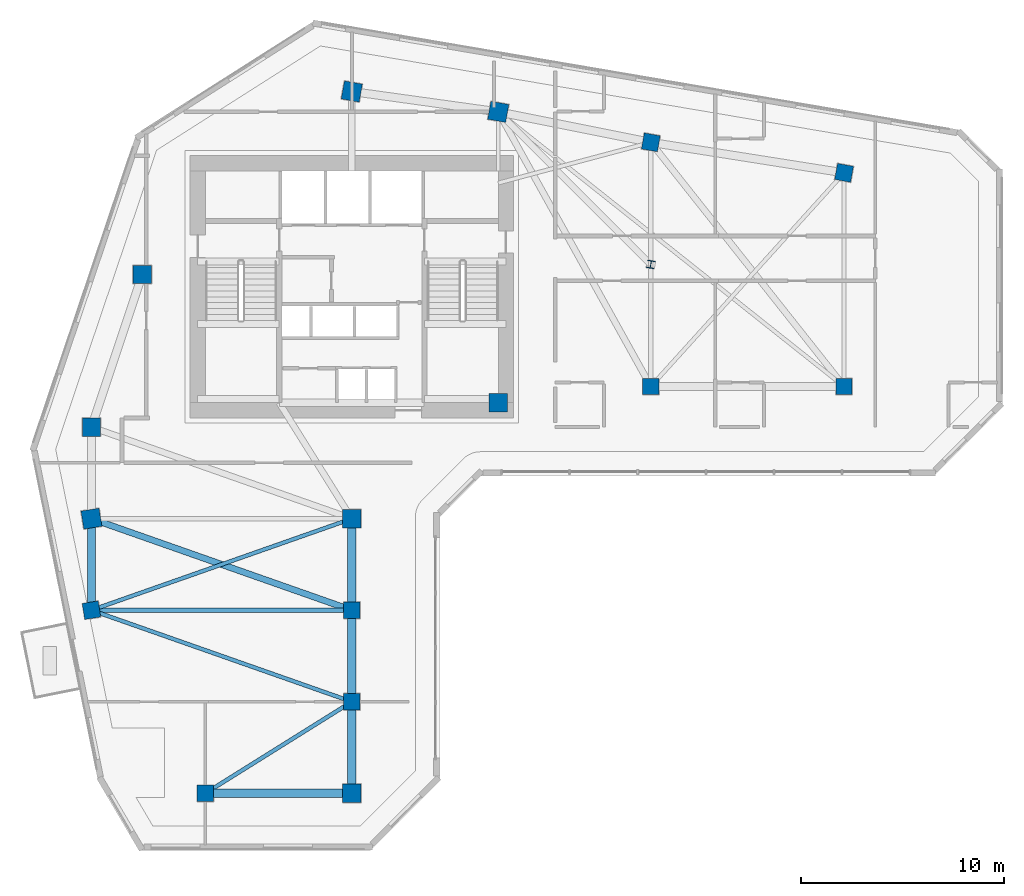
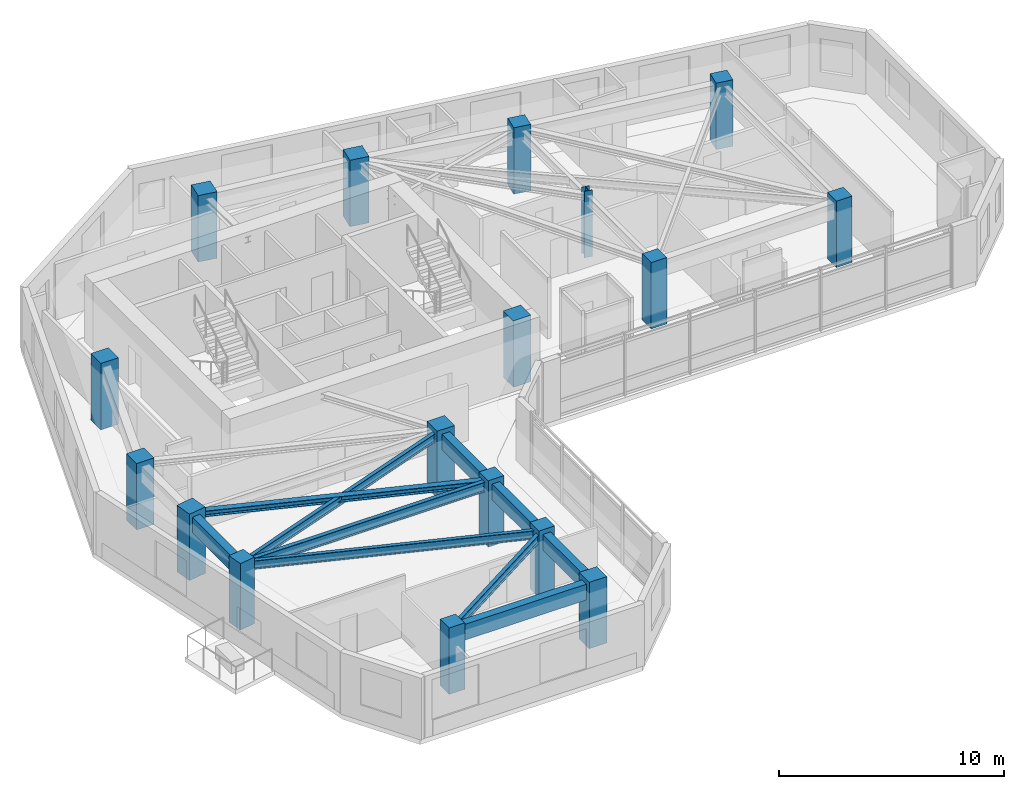
# One storey, part 1 of 11: 17 columns, 10 beams.
"""IFC4 building model written with IfcOpenShell, lengths in metres."""

from ifc_helpers import new_model, si_unit, direction, frame, origin, origin_2d, place, context, subcontext, project, spatial, rectangle, i_section, extrude, source, transform, mapped, material, material_profile, profile_set, type_object, element, save


model = new_model("IFC4")

# Units and contexts
model_context = context("Model", 3, precision=1e-05, world=origin(), true_north=direction((0.0, 1.0)))
body_context = subcontext(model_context, "Body", "Model", "MODEL_VIEW")
ifc_project = project(units=[si_unit("LENGTHUNIT", "METRE"), si_unit("AREAUNIT", "SQUARE_METRE"), si_unit("VOLUMEUNIT", "CUBIC_METRE"), si_unit("PLANEANGLEUNIT", "RADIAN"), si_unit("MASSUNIT", "GRAM", prefix="KILO")], contexts=[model_context])

# Site, building, storey
site_placement = place(None, origin())
site = spatial("IfcSite", under=ifc_project, at=site_placement, CompositionType="ELEMENT")
building_placement = place(site_placement, origin())
building = spatial("IfcBuilding", under=site, at=building_placement, Name="Calvemar Wedge Station Tower", CompositionType="ELEMENT")
storey_placement = place(building_placement, frame((0.0, 0.0, 161.0)))
storey = spatial("IfcBuildingStorey", under=building, at=storey_placement, Name="L40", CompositionType="ELEMENT", Elevation=161.0)

# Columns
ifc_material_1 = material(Name="Concrete C60", Category="concrete")
ifc_material_profile_1 = material_profile(ifc_material_1, rectangle(XDim=0.89990234375, YDim=0.89990234375, at=origin_2d()), Name="RC900x900")
ifc_profile_set_1 = profile_set([ifc_material_profile_1], Name="Concrete C60")
column_type_1 = type_object("IfcColumnType", Name="COL-C5-900", PredefinedType="COLUMN", material=ifc_profile_set_1)
shared_shape_1 = source(origin(), body_context, "Body", "SweptSolid", [
    extrude(rectangle(XDim=0.89990234375, YDim=0.89990234375, at=origin_2d()), origin(), (0.0, 0.0, 1.0), 3.60009765625),
])
for number, where, z_axis, x_axis, name in (
    (1, (11.0, 33.0, 0.0), (0.0, 0.0, 1.0), (1.0, 0.0, 0.0), "Storey L40 Column T-NW1"),
    (2, (13.5, 40.5, 0.0), (0.0, 0.0, 1.0), (1.0, 0.0, 0.0), "Storey L40 Column T-NW2"),
    (3, (23.800048828125, 49.5, 0.0), (0.0, 0.0, 1.0), (0.984195607969, -0.17708474032, 0.0), "Storey L40 Column T-N1"),
    (4, (31.0, 48.5, 0.0), (0.0, 0.0, 1.0), (0.984195607969, -0.17708474032, 0.0), "Storey L40 Column T-N2"),
    (5, (31.0, 34.199951171875, 0.0), (0.0, 0.0, 1.0), (1.0, 0.0, 0.0), "Storey L40 Column T-NL1"),
    (6, (11.0, 28.5, 0.0), (0.0, 0.0, 1.0), (0.158158067254, -0.987413806751, 0.0), "Storey L40 Column T-SW1"),
    (7, (23.800048828125, 28.5, 0.0), (0.0, 0.0, 1.0), (1.0, 0.0, 0.0), "Storey L40 Column T-SE1"),
    (8, (23.800048828125, 15.0, 0.0), (0.0, 0.0, 1.0), (1.0, 0.0, 0.0), "Storey L40 Column T-SE4"),
):
    element("IfcColumn", number, at=place(storey_placement, frame(where, z_axis=z_axis, x_axis=x_axis)), inside=storey, type_object=column_type_1, Name=name, PredefinedType="COLUMN", context=body_context, shape_type="MappedRepresentation", body=[
        mapped(shared_shape_1, transform((0.0, 0.0, 0.0), scale=1.0)),
    ])
ifc_material_2 = material(Name="Concrete C50", Category="concrete")
ifc_material_profile_2 = material_profile(ifc_material_2, rectangle(XDim=0.800048828125, YDim=0.800048828125, at=origin_2d()), Name="RC800x800")
ifc_profile_set_2 = profile_set([ifc_material_profile_2], Name="Concrete C50")
column_type_2 = type_object("IfcColumnType", Name="COL-C6-800", PredefinedType="COLUMN", material=ifc_profile_set_2)
shared_shape_2 = source(origin(), body_context, "Body", "SweptSolid", [
    extrude(rectangle(XDim=0.800048828125, YDim=0.800048828125, at=origin_2d()), origin(), (0.0, 0.0, 1.0), 3.60009765625),
])
for number, where, z_axis, x_axis, name in (
    (9, (38.5, 47.0, 0.0), (0.0, 0.0, 1.0), (0.984195607969, -0.17708474032, 0.0), "Storey L40 Column T-NU3"),
    (10, (48.0, 45.5, 0.0), (0.0, 0.0, 1.0), (0.984195607969, -0.17708474032, 0.0), "Storey L40 Column T-NU4"),
    (11, (38.5, 35.0, 0.0), (0.0, 0.0, 1.0), (1.0, 0.0, 0.0), "Storey L40 Column T-NL2"),
    (12, (48.0, 35.0, 0.0), (0.0, 0.0, 1.0), (1.0, 0.0, 0.0), "Storey L40 Column T-NL3"),
    (13, (11.0, 24.0, 0.0), (0.0, 0.0, 1.0), (0.158158067254, -0.987413806751, 0.0), "Storey L40 Column T-SW2"),
    (14, (23.800048828125, 24.0, 0.0), (0.0, 0.0, 1.0), (1.0, 0.0, 0.0), "Storey L40 Column T-SE2"),
    (15, (23.800048828125, 19.5, 0.0), (0.0, 0.0, 1.0), (1.0, 0.0, 0.0), "Storey L40 Column T-SE3"),
    (16, (16.60009765625, 15.0, 0.0), (0.0, 0.0, 1.0), (1.0, 0.0, 0.0), "Storey L40 Column T-SM1"),
):
    element("IfcColumn", number, at=place(storey_placement, frame(where, z_axis=z_axis, x_axis=x_axis)), inside=storey, type_object=column_type_2, Name=name, PredefinedType="COLUMN", context=body_context, shape_type="MappedRepresentation", body=[
        mapped(shared_shape_2, transform((0.0, 0.0, 0.0), scale=1.0)),
    ])
ifc_material_3 = material(Name="Structural steel ASTM A572 Grade 50", Category="steel")
ifc_material_profile_3 = material_profile(ifc_material_3, i_section(OverallWidth=0.3740234375, OverallDepth=0.3720703125, WebThickness=0.016357421875, FlangeThickness=0.026123046875, FilletRadius=0.014892578125, at=origin_2d()), Name="W360x196")
ifc_profile_set_3 = profile_set([ifc_material_profile_3], Name="Structural steel ASTM A572 Grade 50")
column_type_3 = type_object("IfcColumnType", Name="COL-STL-W360", PredefinedType="COLUMN", material=ifc_profile_set_3)
shared_shape_3 = source(origin(), body_context, "Body", "SweptSolid", [
    extrude(i_section(OverallWidth=0.3740234375, OverallDepth=0.3720703125, WebThickness=0.016357421875, FlangeThickness=0.026123046875, FilletRadius=0.014892578125, at=origin_2d()), origin(), (0.0, 0.0, 1.0), 3.60009765625),
])
column_placement = place(storey_placement, frame((38.5, 41.0, 0.0), z_axis=(0.0, 0.0, 1.0), x_axis=(0.984195607969, -0.17708474032, 0.0)))
element("IfcColumn", 17, at=column_placement, inside=storey, type_object=column_type_3, Name="Storey L40 Column T-NTIP-B", PredefinedType="COLUMN", context=body_context, shape_type="MappedRepresentation", body=[
    mapped(shared_shape_3, transform((0.0, 0.0, 0.0), scale=1.0)),
])

# Beams
ifc_material_profile_4 = material_profile(ifc_material_1, rectangle(XDim=0.39990234375, YDim=0.85009765625, at=origin_2d()), Name="RC400x850")
ifc_profile_set_4 = profile_set([ifc_material_profile_4], Name="Concrete C60")
beam_type_1 = type_object("IfcBeamType", Name="BM-SP1-850", PredefinedType="SPANDREL", material=ifc_profile_set_4)
shared_shape_4 = source(origin(), body_context, "Body", "SweptSolid", [
    extrude(rectangle(XDim=0.39990234375, YDim=0.85009765625, at=origin_2d()), origin(), (0.0, 0.0, 1.0), 4.5),
])
for number, where, z_axis, x_axis, name in (
    (18, (11.0, 28.5, 2.925048828125), (0.0, -1.0, 0.0), (1.0, 0.0, 0.0), "Storey L40 Spandrel T-SW1-T-SW2"),
    (19, (23.800048828125, 28.5, 2.925048828125), (0.0, -1.0, 0.0), (1.0, 0.0, 0.0), "Storey L40 Spandrel T-SE1-T-SE2"),
    (20, (23.800048828125, 24.0, 2.925048828125), (0.0, -1.0, 0.0), (1.0, 0.0, 0.0), "Storey L40 Spandrel T-SE2-T-SE3"),
    (21, (23.800048828125, 19.5, 2.925048828125), (0.0, -1.0, 0.0), (1.0, 0.0, 0.0), "Storey L40 Spandrel T-SE3-T-SE4"),
):
    element("IfcBeam", number, at=place(storey_placement, frame(where, z_axis=z_axis, x_axis=x_axis)), inside=storey, type_object=beam_type_1, Name=name, PredefinedType="SPANDREL", context=body_context, shape_type="MappedRepresentation", body=[
        mapped(shared_shape_4, transform((0.0, 0.0, 0.0), scale=1.0)),
    ])
shared_shape_5 = source(origin(), body_context, "Body", "SweptSolid", [
    extrude(rectangle(XDim=0.39990234375, YDim=0.85009765625, at=origin_2d()), origin(), (0.0, 0.0, 1.0), 7.199951171875),
])
beam_1_placement = place(storey_placement, frame((16.60009765625, 15.0, 2.925048828125), z_axis=(1.0, 0.0, 0.0), x_axis=(0.0, 1.0, 0.0)))
element("IfcBeam", 22, at=beam_1_placement, inside=storey, type_object=beam_type_1, Name="Storey L40 Spandrel T-SM1-T-SE4", PredefinedType="SPANDREL", context=body_context, shape_type="MappedRepresentation", body=[
    mapped(shared_shape_5, transform((0.0, 0.0, 0.0), scale=1.0)),
])
ifc_material_profile_5 = material_profile(ifc_material_3, i_section(OverallWidth=0.30908203125, OverallDepth=0.322998046875, WebThickness=0.013916015625, FlangeThickness=0.02294921875, FilletRadius=0.014892578125, at=origin_2d()), Name="W310x143")
ifc_profile_set_5 = profile_set([ifc_material_profile_5], Name="Structural steel ASTM A572 Grade 50")
beam_type_2 = type_object("IfcBeamType", Name="BM-J5-W310H", PredefinedType="JOIST", material=ifc_profile_set_5)
shared_shape_6 = source(origin(), body_context, "Body", "SweptSolid", [
    extrude(i_section(OverallWidth=0.30908203125, OverallDepth=0.322998046875, WebThickness=0.013916015625, FlangeThickness=0.02294921875, FilletRadius=0.014892578125, at=origin_2d()), origin(), (0.0, 0.0, 1.0), 13.568115234375),
])
beam_2_placement = place(storey_placement, frame((11.0, 28.5, 3.1884765625), z_axis=(0.943398221169, -0.331662171939, 0.0), x_axis=(0.331662171939, 0.943398221169, 0.0)))
element("IfcBeam", 23, at=beam_2_placement, inside=storey, type_object=beam_type_2, Name="Storey L40 Floor Beam T-SW1-T-SE2", PredefinedType="JOIST", context=body_context, shape_type="MappedRepresentation", body=[
    mapped(shared_shape_6, transform((0.0, 0.0, 0.0), scale=1.0)),
])
ifc_material_profile_6 = material_profile(ifc_material_3, i_section(OverallWidth=0.19189453125, OverallDepth=0.462890625, WebThickness=0.010498046875, FlangeThickness=0.017578125, FilletRadius=0.012939453125, at=origin_2d()), Name="W460x89")
ifc_profile_set_6 = profile_set([ifc_material_profile_6], Name="Structural steel ASTM A572 Grade 50")
beam_type_3 = type_object("IfcBeamType", Name="BM-J1-W460", PredefinedType="JOIST", material=ifc_profile_set_6)
shared_shape_7 = source(origin(), body_context, "Body", "SweptSolid", [
    extrude(i_section(OverallWidth=0.19189453125, OverallDepth=0.462890625, WebThickness=0.010498046875, FlangeThickness=0.017578125, FilletRadius=0.012939453125, at=origin_2d()), origin(), (0.0, 0.0, 1.0), 13.568115234375),
])
for number, where, z_axis, x_axis, name in (
    (24, (23.800048828125, 28.5, 3.118408203125), (-0.943398221169, -0.331662171939, 0.0), (0.331662171939, -0.943398221169, 0.0), "Storey L40 Floor Beam T-SE1-T-SW2"),
    (25, (11.0, 24.0, 3.118408203125), (0.943398221169, -0.331662171939, 0.0), (0.331662171939, 0.943398221169, 0.0), "Storey L40 Floor Beam T-SW2-T-SE3"),
):
    element("IfcBeam", number, at=place(storey_placement, frame(where, z_axis=z_axis, x_axis=x_axis)), inside=storey, type_object=beam_type_3, Name=name, PredefinedType="JOIST", context=body_context, shape_type="MappedRepresentation", body=[
        mapped(shared_shape_7, transform((0.0, 0.0, 0.0), scale=1.0)),
    ])
shared_shape_8 = source(origin(), body_context, "Body", "SweptSolid", [
    extrude(i_section(OverallWidth=0.19189453125, OverallDepth=0.462890625, WebThickness=0.010498046875, FlangeThickness=0.017578125, FilletRadius=0.012939453125, at=origin_2d()), origin(), (0.0, 0.0, 1.0), 8.490478515625),
])
beam_3_placement = place(storey_placement, frame((23.800048828125, 19.5, 3.118408203125), z_axis=(-0.847996688584, -0.530001524668, 0.0), x_axis=(0.530001524668, -0.847996688584, 0.0)))
element("IfcBeam", 26, at=beam_3_placement, inside=storey, type_object=beam_type_3, Name="Storey L40 Floor Beam T-SE3-T-SM1", PredefinedType="JOIST", context=body_context, shape_type="MappedRepresentation", body=[
    mapped(shared_shape_8, transform((0.0, 0.0, 0.0), scale=1.0)),
])
ifc_material_profile_7 = material_profile(ifc_material_3, i_section(OverallWidth=0.2109375, OverallDepth=0.5390625, WebThickness=0.01171875, FlangeThickness=0.018798828125, FilletRadius=0.012939453125, at=origin_2d()), Name="W530x109")
ifc_profile_set_7 = profile_set([ifc_material_profile_7], Name="Structural steel ASTM A572 Grade 50")
beam_type_4 = type_object("IfcBeamType", Name="BM-SB4-W530", PredefinedType="BEAM", material=ifc_profile_set_7)
shared_shape_9 = source(origin(), body_context, "Body", "SweptSolid", [
    extrude(i_section(OverallWidth=0.2109375, OverallDepth=0.5390625, WebThickness=0.01171875, FlangeThickness=0.018798828125, FilletRadius=0.012939453125, at=origin_2d()), origin(), (0.0, 0.0, 1.0), 12.800048828125),
])
beam_4_placement = place(storey_placement, frame((11.0, 24.0, 3.08056640625), z_axis=(1.0, 0.0, 0.0), x_axis=(0.0, 1.0, 0.0)))
element("IfcBeam", 27, at=beam_4_placement, inside=storey, type_object=beam_type_4, Name="Storey L40 Floor Beam T-SW2-T-SE2", PredefinedType="BEAM", context=body_context, shape_type="MappedRepresentation", body=[
    mapped(shared_shape_9, transform((0.0, 0.0, 0.0), scale=1.0)),
])

save(model, "model.ifc")
